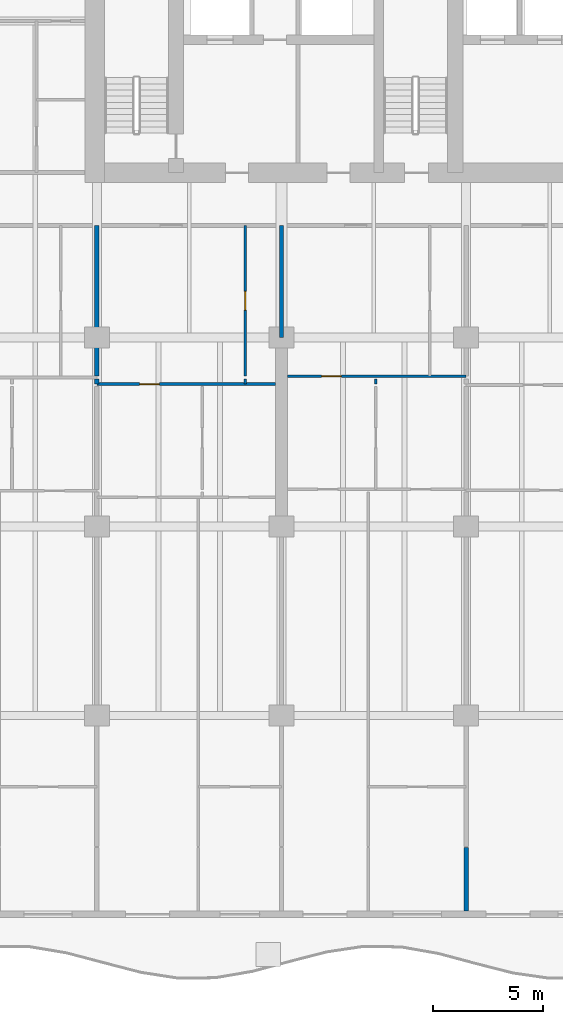
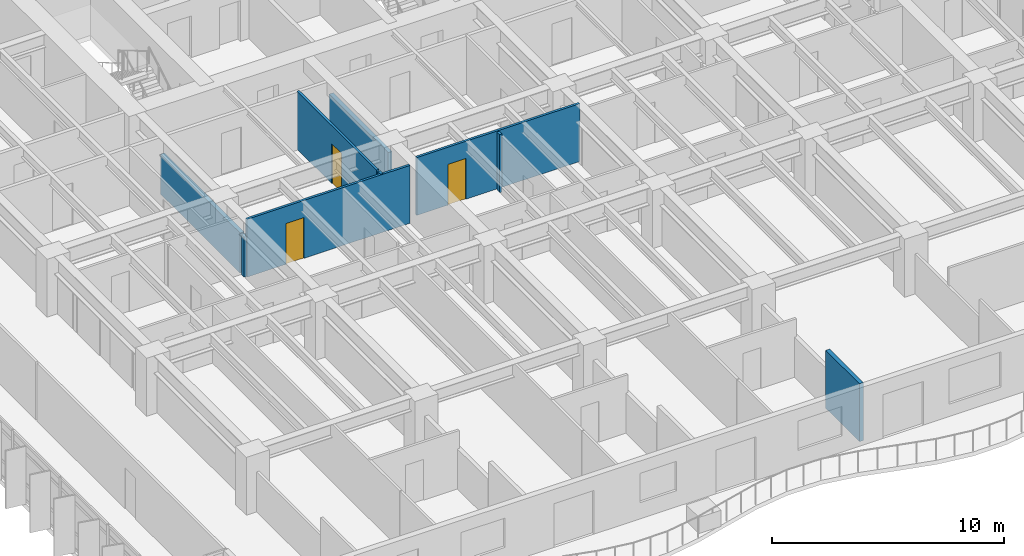
# One storey, part 7 of 18: 9 walls, 3 doors, 3 openings.
"""IFC4 building model written with IfcOpenShell, lengths in metres."""

from ifc_helpers import new_model, si_unit, direction, frame, frame_2d, origin, place, context, subcontext, project, spatial, rectangle, extrude, material, layer, layer_set, type_object, element, fill, save


model = new_model("IFC4")

# Units and contexts
model_context = context("Model", 3, precision=1e-05, world=origin(), true_north=direction((0.0, 1.0)))
body_context = subcontext(model_context, "Body", "Model", "MODEL_VIEW")
ifc_project = project(units=[si_unit("LENGTHUNIT", "METRE"), si_unit("AREAUNIT", "SQUARE_METRE"), si_unit("VOLUMEUNIT", "CUBIC_METRE"), si_unit("PLANEANGLEUNIT", "RADIAN"), si_unit("MASSUNIT", "GRAM", prefix="KILO")], contexts=[model_context])

# Site, building, storey
site_placement = place(None, origin())
site = spatial("IfcSite", under=ifc_project, at=site_placement, CompositionType="ELEMENT")
building_placement = place(site_placement, origin())
building = spatial("IfcBuilding", under=site, at=building_placement, Name="Caelmar Bay Residences", CompositionType="ELEMENT")
storey_placement = place(building_placement, frame((0.0, 0.0, 36.60009765625)))
storey = spatial("IfcBuildingStorey", under=building, at=storey_placement, Name="L08", CompositionType="ELEMENT", Elevation=36.60009765625)

# Wall
ifc_material_1 = material(Name="Acoustic metal-stud gypsum partition 120 mm")
ifc_layer_1 = layer(ifc_material_1, 0.1201171875)
ifc_layer_set_1 = layer_set([ifc_layer_1], Name="Acoustic metal-stud gypsum partition 120 mm")
wall_type_1 = type_object("IfcWallType", Name="W-PRT-120", PredefinedType="PARTITIONING", material=ifc_layer_set_1)
wall_1_placement = place(storey_placement, frame((25.050048828125, 27.280029296875, 0.0), z_axis=(0.0, 0.0, 1.0), x_axis=(0.0, 1.0, 0.0)))
element("IfcWall", 1, at=wall_1_placement, inside=storey, type_object=wall_type_1, Name="L08 Partition Wall V029", PredefinedType="PARTITIONING", context=body_context, shape_type="SweptSolid", body=[
    extrude(rectangle(XDim=0.239990234375, YDim=0.1201171875, at=frame_2d((0.1201171875, 0.0))), origin(), (0.0, 0.0, 1.0), 3.0498046875),
])

# Wall, opening, door
wall_2_placement = place(storey_placement, frame((25.050048828125, 27.639892578125, 0.0), z_axis=(0.0, 0.0, 1.0), x_axis=(0.0, 1.0, 0.0)))
wall_2 = element("IfcWall", 2, at=wall_2_placement, inside=storey, type_object=wall_type_1, Name="L08 Partition Wall V030", PredefinedType="PARTITIONING", context=body_context, shape_type="SweptSolid", body=[
    extrude(rectangle(XDim=6.860107421875, YDim=0.1201171875, at=frame_2d((3.43017578125, 0.0))), origin(), (0.0, 0.0, 1.0), 3.0498046875),
])
opening_1_placement = place(wall_2_placement, frame((3.0048828125, 0.0, 0.0)))
opening_1 = element("IfcOpeningElement", 3, at=opening_1_placement, cuts=wall_2, Name="Opening D-L08-130", PredefinedType="OPENING", context=body_context, shape_type="SweptSolid", body=[
    extrude(rectangle(XDim=0.85009765625, YDim=2.10009765625, at=frame_2d((0.425048828125, 1.050048828125))), frame((0.0, 0.070068359375, 0.0), z_axis=(0.0, -1.0, 0.0), x_axis=(1.0, 0.0, 0.0)), (0.0, 0.0, 1.0), 0.14013671875),
])
ifc_material_2 = material(Name="Solid walnut timber interior door leaf and frame", Category="wood")
ifc_layer_2 = layer(ifc_material_2, 0.050048828125)
ifc_layer_set_2 = layer_set([ifc_layer_2], Name="Solid walnut timber interior door leaf and frame")
door_type_1 = type_object("IfcDoorType", Name="D-BATH-850", OperationType="NOTDEFINED", PredefinedType="DOOR", material=ifc_layer_set_2)
door_1_placement = place(opening_1_placement, origin())
door_1 = element("IfcDoor", 4, at=door_1_placement, inside=storey, type_object=door_type_1, Name="L08 Residence 02 Bathroom Door", OperationType="SINGLE_SWING_RIGHT", OverallHeight=2.10009765625, OverallWidth=0.85009765625, PredefinedType="DOOR", context=body_context, shape_type="SweptSolid", body=[
    extrude(rectangle(XDim=0.85009765625, YDim=2.10009765625, at=frame_2d((0.425048828125, 1.050048828125))), frame((0.0, 0.02490234375, 0.0), z_axis=(0.0, -1.0, 0.0), x_axis=(1.0, 0.0, 0.0)), (0.0, 0.0, 1.0), 0.050048828125),
])
fill(opening_1, door_1)

# Wall
wall_3_placement = place(storey_placement, frame((30.986083984375, 27.280029296875, 0.0), z_axis=(0.0, 0.0, 1.0), x_axis=(0.0, 1.0, 0.0)))
element("IfcWall", 5, at=wall_3_placement, inside=storey, type_object=wall_type_1, Name="L08 Partition Wall V040", PredefinedType="PARTITIONING", context=body_context, shape_type="SweptSolid", body=[
    extrude(rectangle(XDim=0.239990234375, YDim=0.1201171875, at=frame_2d((0.1201171875, 0.0))), origin(), (0.0, 0.0, 1.0), 3.0498046875),
])

# Wall, opening, door
wall_4_placement = place(storey_placement, frame((18.300048828125, 27.280029296875, 0.0), z_axis=(0.0, 0.0, 1.0), x_axis=(1.0, 0.0, 0.0)))
wall_4 = element("IfcWall", 6, at=wall_4_placement, inside=storey, type_object=wall_type_1, Name="L08 Partition Wall H121", PredefinedType="PARTITIONING", context=body_context, shape_type="SweptSolid", body=[
    extrude(rectangle(XDim=8.1298828125, YDim=0.1201171875, at=frame_2d((4.06494140625, 0.0))), origin(), (0.0, 0.0, 1.0), 3.0498046875),
])
opening_2_placement = place(wall_4_placement, frame((1.943115234375, 0.0, 0.0)))
opening_2 = element("IfcOpeningElement", 7, at=opening_2_placement, cuts=wall_4, Name="Opening D-L08-131", PredefinedType="OPENING", context=body_context, shape_type="SweptSolid", body=[
    extrude(rectangle(XDim=0.89990234375, YDim=2.14990234375, at=frame_2d((0.449951171875, 1.074951171875))), frame((0.0, 0.070068359375, 0.0), z_axis=(0.0, -1.0, 0.0), x_axis=(1.0, 0.0, 0.0)), (0.0, 0.0, 1.0), 0.14013671875),
])
ifc_layer_3 = layer(ifc_material_2, 0.050048828125)
ifc_layer_set_3 = layer_set([ifc_layer_3], Name="Solid walnut timber interior door leaf and frame")
door_type_2 = type_object("IfcDoorType", Name="D-ROOM-900", OperationType="NOTDEFINED", PredefinedType="DOOR", material=ifc_layer_set_3)
door_2_placement = place(opening_2_placement, origin())
door_2 = element("IfcDoor", 8, at=door_2_placement, inside=storey, type_object=door_type_2, Name="L08 Residence 02 Kitchen Door", OperationType="SINGLE_SWING_LEFT", OverallHeight=2.14990234375, OverallWidth=0.89990234375, PredefinedType="DOOR", context=body_context, shape_type="SweptSolid", body=[
    extrude(rectangle(XDim=0.89990234375, YDim=2.14990234375, at=frame_2d((0.449951171875, 1.074951171875))), frame((0.0, 0.02490234375, 0.0), z_axis=(0.0, -1.0, 0.0), x_axis=(1.0, 0.0, 0.0)), (0.0, 0.0, 1.0), 0.050048828125),
])
fill(opening_2, door_2)

wall_5_placement = place(storey_placement, frame((26.969970703125, 27.639892578125, 0.0), z_axis=(0.0, 0.0, 1.0), x_axis=(1.0, 0.0, 0.0)))
wall_5 = element("IfcWall", 9, at=wall_5_placement, inside=storey, type_object=wall_type_1, Name="L08 Partition Wall H125", PredefinedType="PARTITIONING", context=body_context, shape_type="SweptSolid", body=[
    extrude(rectangle(XDim=8.130126953125, YDim=0.1201171875, at=frame_2d((4.06494140625, 0.0))), origin(), (0.0, 0.0, 1.0), 3.0498046875),
])
opening_3_placement = place(wall_5_placement, frame((1.55810546875, 0.0, 0.0)))
opening_3 = element("IfcOpeningElement", 10, at=opening_3_placement, cuts=wall_5, Name="Opening D-L08-138", PredefinedType="OPENING", context=body_context, shape_type="SweptSolid", body=[
    extrude(rectangle(XDim=0.89990234375, YDim=2.14990234375, at=frame_2d((0.449951171875, 1.074951171875))), frame((0.0, 0.070068359375, 0.0), z_axis=(0.0, -1.0, 0.0), x_axis=(1.0, 0.0, 0.0)), (0.0, 0.0, 1.0), 0.14013671875),
])
door_3_placement = place(opening_3_placement, origin())
door_3 = element("IfcDoor", 11, at=door_3_placement, inside=storey, type_object=door_type_2, Name="L08 Residence 03 Kitchen Door", OperationType="SINGLE_SWING_RIGHT", OverallHeight=2.14990234375, OverallWidth=0.89990234375, PredefinedType="DOOR", context=body_context, shape_type="SweptSolid", body=[
    extrude(rectangle(XDim=0.89990234375, YDim=2.14990234375, at=frame_2d((0.449951171875, 1.074951171875))), frame((0.0, 0.02490234375, 0.0), z_axis=(0.0, -1.0, 0.0), x_axis=(1.0, 0.0, 0.0)), (0.0, 0.0, 1.0), 0.050048828125),
])
fill(opening_3, door_3)

# Walls
ifc_material_3 = material(Name="Acoustic twin-stud fire-rated inter-tenancy partition 200 mm")
ifc_layer_4 = layer(ifc_material_3, 0.199951171875)
ifc_layer_set_4 = layer_set([ifc_layer_4], Name="Acoustic twin-stud fire-rated inter-tenancy partition 200 mm")
wall_type_2 = type_object("IfcWallType", Name="W-PTY-200", PredefinedType="PARTITIONING", material=ifc_layer_set_4)
wall_6_placement = place(storey_placement, frame((18.300048828125, 27.280029296875, 0.0), z_axis=(0.0, 0.0, 1.0), x_axis=(0.0, 1.0, 0.0)))
element("IfcWall", 12, at=wall_6_placement, inside=storey, type_object=wall_type_2, Name="L08 Partition Wall V022", PredefinedType="PARTITIONING", context=body_context, shape_type="SweptSolid", body=[
    extrude(rectangle(XDim=0.239990234375, YDim=0.199951171875, at=frame_2d((0.1201171875, 0.0))), origin(), (0.0, 0.0, 1.0), 2.10986328125),
])
wall_7_placement = place(storey_placement, frame((18.300048828125, 27.639892578125, 0.0), z_axis=(0.0, 0.0, 1.0), x_axis=(0.0, 1.0, 0.0)))
element("IfcWall", 13, at=wall_7_placement, inside=storey, type_object=wall_type_2, Name="L08 Partition Wall V023", PredefinedType="PARTITIONING", context=body_context, shape_type="SweptSolid", body=[
    extrude(rectangle(XDim=6.860107421875, YDim=0.199951171875, at=frame_2d((3.43017578125, 0.0))), origin(), (0.0, 0.0, 1.0), 2.10986328125),
])
wall_8_placement = place(storey_placement, frame((26.699951171875, 29.405029296875, 0.0), z_axis=(0.0, 0.0, 1.0), x_axis=(0.0, 1.0, 0.0)))
element("IfcWall", 14, at=wall_8_placement, inside=storey, type_object=wall_type_2, Name="L08 Partition Wall V034", PredefinedType="PARTITIONING", context=body_context, shape_type="SweptSolid", body=[
    extrude(rectangle(XDim=5.094970703125, YDim=0.199951171875, at=frame_2d((2.54736328125, 0.0))), origin(), (0.0, 0.0, 1.0), 2.3349609375),
])
wall_9_placement = place(storey_placement, frame((35.10009765625, 3.294921875, 0.0), z_axis=(0.0, 0.0, 1.0), x_axis=(0.0, 1.0, 0.0)))
element("IfcWall", 15, at=wall_9_placement, inside=storey, type_object=wall_type_2, Name="L08 Partition Wall V043", PredefinedType="PARTITIONING", context=body_context, shape_type="SweptSolid", body=[
    extrude(rectangle(XDim=2.905029296875, YDim=0.199951171875, at=frame_2d((1.45263671875, 0.0))), origin(), (0.0, 0.0, 1.0), 3.0498046875),
])

save(model, "model.ifc")
